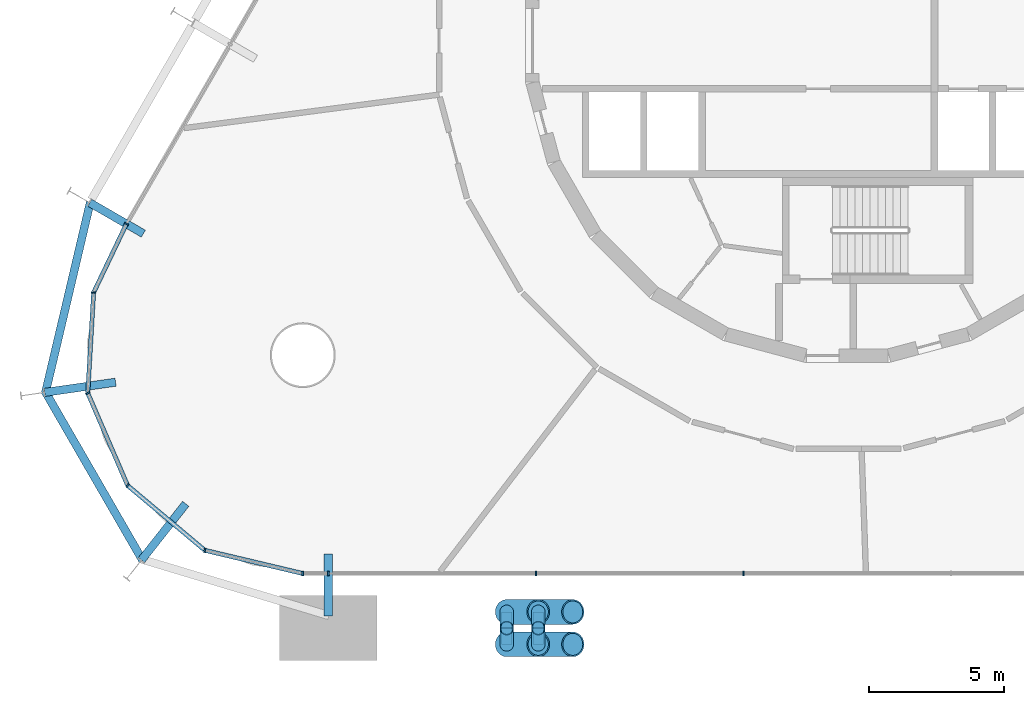
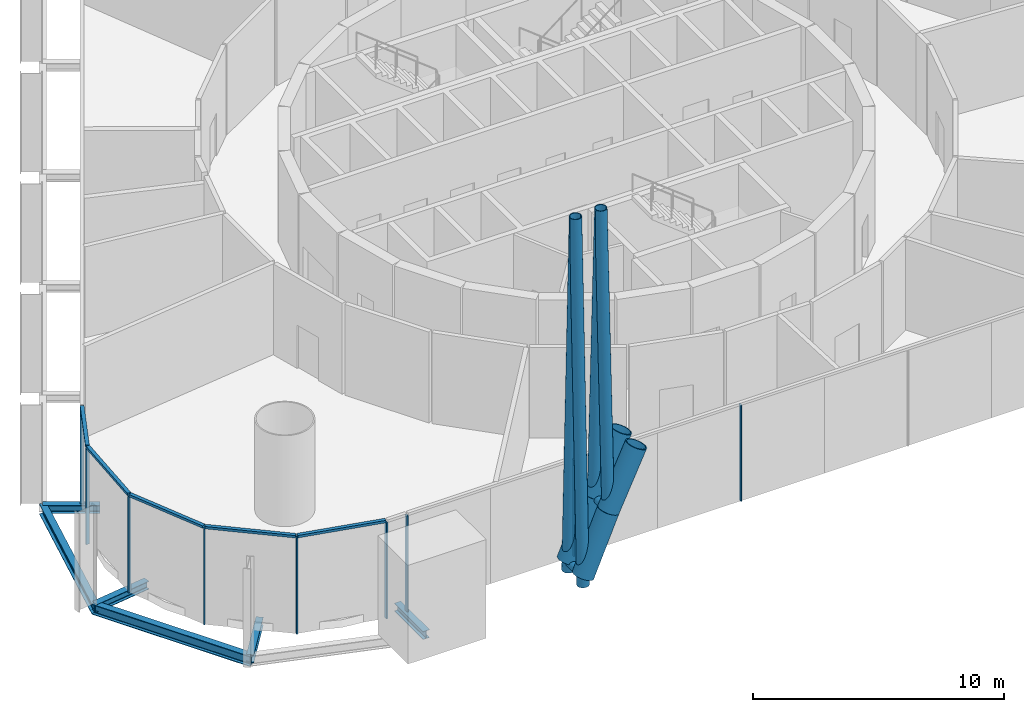
# One storey, part 3 of 17: 24 members, 6 beams, 2 elements without a shape of their own.
"""IFC4 building model written with IfcOpenShell, lengths in metres."""

import ifcopenshell
import ifcopenshell.guid

model = None  # the IFC model being written
_history = None  # IfcOwnerHistory: only IFC2X3 demands one
_inside = {}  # id of a spatial element -> (the spatial element, [elements in it])
_under = {}  # id of a project, library or spatial element -> (it, [spatial elements below it])
_declared = {}  # id of a project -> (the project, [libraries it declares])
_typed = {}  # id of a type object -> (the type object, [elements of that type])
_made_of = {}  # id of a material, layer set ... -> (it, [elements and type objects made of it])


def new_model(schema):
    """Start an empty IFC model of exactly this schema.

    Asked for "IFC4X3", IfcOpenShell would pick the latest addendum, in which some entities
    have other attributes; the version numbers below select the first issue.
    IFC2X3 requires an IfcOwnerHistory on every rooted entity: one is made here for all.
    """
    global model, _history
    if schema == "IFC4X3":
        model = ifcopenshell.file(schema_version=(4, 3, 0, 0))
    else:
        model = ifcopenshell.file(schema=schema)
    _inside.clear()
    _under.clear()
    _declared.clear()
    _typed.clear()
    _made_of.clear()
    _history = None
    if model.schema == "IFC2X3":
        org = make("IfcOrganization", Name="unknown")
        user = make(
            "IfcPersonAndOrganization",
            ThePerson=make("IfcPerson", FamilyName="unknown"),
            TheOrganization=org,
        )
        app = make(
            "IfcApplication",
            ApplicationDeveloper=org,
            Version="unknown",
            ApplicationFullName="unknown",
            ApplicationIdentifier="unknown",
        )
        _history = make(
            "IfcOwnerHistory",
            OwningUser=user,
            OwningApplication=app,
            ChangeAction="ADDED",
            CreationDate=0,
        )
    return model


def make(cls, **values):
    """One entity of the class cls with the attributes given. An attribute that is None is left unset."""
    return model.create_entity(
        cls, **{name: value for name, value in values.items() if value is not None}
    )


def rooted(cls, **values):
    """An entity with a GlobalId (a new one), such as an element, a storey or a relation."""
    return make(cls, GlobalId=ifcopenshell.guid.new(), OwnerHistory=_history, **values)


def si_unit(unit_type, name, prefix=None):
    """IfcSIUnit, for example si_unit("LENGTHUNIT", "METRE", prefix="MILLI")."""
    return make("IfcSIUnit", UnitType=unit_type, Prefix=prefix, Name=name)


def assignment(units):
    """IfcUnitAssignment: the units of a project."""
    return None if units is None else make("IfcUnitAssignment", Units=units)


def point(xyz):
    """IfcCartesianPoint."""
    return None if xyz is None else make("IfcCartesianPoint", Coordinates=xyz)


def direction(xyz):
    """IfcDirection."""
    return None if xyz is None else make("IfcDirection", DirectionRatios=xyz)


def frame(location, z_axis=None, x_axis=None):
    """IfcAxis2Placement3D, a coordinate frame: its origin and axes. An axis left out is left unset."""
    return make(
        "IfcAxis2Placement3D",
        Location=point(location),
        Axis=direction(z_axis),
        RefDirection=direction(x_axis),
    )


def frame_2d(location, x_axis=None):
    """IfcAxis2Placement2D, a coordinate frame in the plane: its origin and x axis."""
    return make(
        "IfcAxis2Placement2D", Location=point(location), RefDirection=direction(x_axis)
    )


def origin():
    """The frame at (0, 0, 0) with its axes left unset."""
    return frame((0.0, 0.0, 0.0))


def origin_2d():
    """The frame at (0, 0) in the plane with its x axis left unset."""
    return frame_2d((0.0, 0.0))


def place(relative_to, where):
    """IfcLocalPlacement: puts the frame where relative to a parent placement (None: the world)."""
    return make(
        "IfcLocalPlacement", PlacementRelTo=relative_to, RelativePlacement=where
    )


def context(
    kind, dimensions, precision=None, world=None, true_north=None, identifier=None
):
    """IfcGeometricRepresentationContext, for example the 3D "Model" context."""
    return make(
        "IfcGeometricRepresentationContext",
        ContextIdentifier=identifier,
        ContextType=kind,
        CoordinateSpaceDimension=dimensions,
        Precision=precision,
        WorldCoordinateSystem=world,
        TrueNorth=true_north,
    )


def subcontext(parent, identifier, kind, view, scale=None):
    """IfcGeometricRepresentationSubContext, for example "Body" below "Model"."""
    return make(
        "IfcGeometricRepresentationSubContext",
        ContextIdentifier=identifier,
        ContextType=kind,
        ParentContext=parent,
        TargetScale=scale,
        TargetView=view,
    )


def project(units=None, contexts=None):
    """IfcProject with its units and contexts."""
    return rooted(
        "IfcProject",
        Name="project",
        RepresentationContexts=contexts,
        UnitsInContext=assignment(units),
    )


def spatial(cls, under=None, at=None, **own):
    """A site, building, storey or space (cls), placed at a placement, below another one or the project."""
    s = rooted(cls, ObjectPlacement=at, **own)
    if under is not None:
        _under.setdefault(under.id(), (under, []))[1].append(s)
    return s


def profile(cls, at=None, kind="AREA", **sizes):
    """A parametric profile (cls). Its sizes go by their IFC names, for example OverallWidth=200.0."""
    return make(cls, ProfileType=kind, Position=at, **sizes)


def rectangle(**sizes):
    """IfcRectangleProfileDef."""
    return profile("IfcRectangleProfileDef", **sizes)


def hollow_circle(**sizes):
    """IfcCircleHollowProfileDef."""
    return profile("IfcCircleHollowProfileDef", **sizes)


def i_section(**sizes):
    """IfcIShapeProfileDef."""
    return profile("IfcIShapeProfileDef", **sizes)


def extrude(swept, where, along, depth):
    """IfcExtrudedAreaSolid: the profile swept, set in the frame where, extruded along a direction by depth."""
    return make(
        "IfcExtrudedAreaSolid",
        SweptArea=swept,
        Position=where,
        ExtrudedDirection=direction(along),
        Depth=depth,
    )


def shape(context_of_items, identifier, shape_type, items):
    """IfcShapeRepresentation: the items that make up one representation, for example the "Body"."""
    return make(
        "IfcShapeRepresentation",
        ContextOfItems=context_of_items,
        RepresentationIdentifier=identifier,
        RepresentationType=shape_type,
        Items=items,
    )


def material(Name=None, Category=None):
    """IfcMaterial."""
    return make("IfcMaterial", Name=Name, Category=Category)


def layer(
    of_material, thickness, ventilated=None, Name=None, Category=None, Priority=None
):
    """IfcMaterialLayer: one layer of a wall or slab, of a material (None: an air gap)."""
    return make(
        "IfcMaterialLayer",
        Material=of_material,
        LayerThickness=thickness,
        IsVentilated=ventilated,
        Name=Name,
        Category=Category,
        Priority=Priority,
    )


def layer_set(layers, Name=None):
    """IfcMaterialLayerSet."""
    return make("IfcMaterialLayerSet", MaterialLayers=layers, LayerSetName=Name)


def material_profile(
    of_material, cross_section, Name=None, Category=None, Priority=None
):
    """IfcMaterialProfile: a cross section and its material."""
    return make(
        "IfcMaterialProfile",
        Name=Name,
        Material=of_material,
        Profile=cross_section,
        Priority=Priority,
        Category=Category,
    )


def profile_set(profiles, Name=None, composite=None):
    """IfcMaterialProfileSet."""
    return make(
        "IfcMaterialProfileSet",
        Name=Name,
        MaterialProfiles=profiles,
        CompositeProfile=composite,
    )


def made_of(thing, what):
    """Note that an element or type object is made of a material, layer set ...; save() writes the relation."""
    if what is not None:
        _made_of.setdefault(what.id(), (what, []))[1].append(thing)
    return thing


def type_object(cls, material=None, **own):
    """A type object (cls), such as IfcWallType, which elements share."""
    return made_of(rooted(cls, **own), material)


def element(
    cls,
    number,
    at=None,
    inside=None,
    cuts=None,
    type_object=None,
    material=None,
    context=None,
    identifier="Body",
    shape_type=None,
    held_by="IfcProductDefinitionShape",
    body=None,
    shapes=None,
    **own,
):
    """One element of the class cls, such as IfcWall. Its Tag is "e" and its number.

    at: its placement. inside: the storey or other place that contains it. cuts: it is an
    opening in that element (IfcRelVoidsElement). A single representation is given by context,
    identifier, shape_type and body (its items); several are given by shapes. held_by: the class
    of the entity that holds the representations. save() writes the other relations.
    """
    e = rooted(cls, Tag="e%d" % number, ObjectPlacement=at, **own)
    if body is not None:
        shapes = [shape(context, identifier, shape_type, body)]
    if shapes is not None:
        e.Representation = make(held_by, Representations=shapes)
    if inside is not None:
        _inside.setdefault(inside.id(), (inside, []))[1].append(e)
    if cuts is not None:
        rooted(
            "IfcRelVoidsElement", RelatingBuildingElement=cuts, RelatedOpeningElement=e
        )
    if type_object is not None:
        _typed.setdefault(type_object.id(), (type_object, []))[1].append(e)
    return made_of(e, material)


def aggregate(whole, parts):
    """IfcRelAggregates: a whole, such as a stair, and the parts it consists of."""
    return rooted("IfcRelAggregates", RelatingObject=whole, RelatedObjects=parts)


def save(model, path):
    """Write the relations noted so far, then the file.

    IfcRelAggregates (storeys below a building ...), IfcRelContainedInSpatialStructure (elements
    in a storey), IfcRelDefinesByType, IfcRelAssociatesMaterial and IfcRelDeclares: one each for
    every whole, place, type object, material and project.
    """
    for whole, parts in _under.values():
        aggregate(whole, parts)
    for where, things in _inside.values():
        rooted(
            "IfcRelContainedInSpatialStructure",
            RelatedElements=things,
            RelatingStructure=where,
        )
    for kind, things in _typed.values():
        rooted("IfcRelDefinesByType", RelatedObjects=things, RelatingType=kind)
    for what, things in _made_of.values():
        rooted("IfcRelAssociatesMaterial", RelatedObjects=things, RelatingMaterial=what)
    for by, libraries in _declared.values():
        rooted("IfcRelDeclares", RelatingContext=by, RelatedDefinitions=libraries)
    model.write(path)


model = new_model("IFC4")

# Units and contexts
model_context = context("Model", 3, precision=1e-05, world=origin(), true_north=direction((0.0, 1.0)))
body_context = subcontext(model_context, "Body", "Model", "MODEL_VIEW")
ifc_project = project(units=[si_unit("LENGTHUNIT", "METRE"), si_unit("AREAUNIT", "SQUARE_METRE"), si_unit("VOLUMEUNIT", "CUBIC_METRE"), si_unit("PLANEANGLEUNIT", "RADIAN"), si_unit("MASSUNIT", "GRAM", prefix="KILO")], contexts=[model_context])

# Site, building, storey
site_placement = place(None, origin())
site = spatial("IfcSite", under=ifc_project, at=site_placement, CompositionType="ELEMENT")
building_placement = place(site_placement, origin())
building = spatial("IfcBuilding", under=site, at=building_placement, Name="Spindle Arch Residences", CompositionType="ELEMENT")
storey_placement = place(building_placement, frame((0.0, 0.0, 13.800048828125)))
storey = spatial("IfcBuildingStorey", under=building, at=storey_placement, Name="L02", CompositionType="ELEMENT", Elevation=13.800048828125)

# Members
ifc_material_1 = material(Name="Steel S355J2, intumescent coating R 240", Category="steel")
ifc_material_profile_1 = material_profile(ifc_material_1, hollow_circle(Radius=0.25390625, WallThickness=0.02490234375, at=origin_2d()), Name="CHS 508x25")
ifc_profile_set_1 = profile_set([ifc_material_profile_1], Name="Steel S355J2, intumescent coating R 240")
member_type_1 = type_object("IfcMemberType", Name="Arch hanger CHS 508x25", PredefinedType="BRACE", material=ifc_profile_set_1)
member_1_placement = place(storey_placement, frame((-12.59765625, -21.72998046875, 17.741943359375), z_axis=(0.0, -0.034164866701, -0.999416210537), x_axis=(1.0, 0.0, 0.0)))
element("IfcMember", 1, at=member_1_placement, inside=storey, type_object=member_type_1, Name="Arch hanger 1.5", PredefinedType="BRACE", context=body_context, shape_type="SweptSolid", body=[
    extrude(hollow_circle(Radius=0.25390625, WallThickness=0.02490234375, at=origin_2d()), origin(), (0.0, 0.0, 1.0), 17.5576171875),
])
member_2_placement = place(storey_placement, frame((-11.431884765625, -21.72998046875, 17.741943359375), z_axis=(0.0, -0.040575443037, -0.999176477617), x_axis=(1.0, 0.0, 0.0)))
element("IfcMember", 2, at=member_2_placement, inside=storey, type_object=member_type_1, Name="Arch hanger 1.6", PredefinedType="BRACE", context=body_context, shape_type="SweptSolid", body=[
    extrude(hollow_circle(Radius=0.25390625, WallThickness=0.02490234375, at=origin_2d()), origin(), (0.0, 0.0, 1.0), 14.78369140625),
])
member_3_placement = place(storey_placement, frame((-12.59765625, -21.72998046875, 17.741943359375), z_axis=(0.0, 0.034178755575, -0.999415735651), x_axis=(-1.0, 0.0, 0.0)))
element("IfcMember", 3, at=member_3_placement, inside=storey, type_object=member_type_1, Name="Arch hanger 2.5", PredefinedType="BRACE", context=body_context, shape_type="SweptSolid", body=[
    extrude(hollow_circle(Radius=0.25390625, WallThickness=0.02490234375, at=origin_2d()), origin(), (0.0, 0.0, 1.0), 17.5576171875),
])
member_4_placement = place(storey_placement, frame((-11.431884765625, -21.72998046875, 17.741943359375), z_axis=(0.0, 0.040591930054, -0.999175807961), x_axis=(-1.0, 0.0, 0.0)))
element("IfcMember", 4, at=member_4_placement, inside=storey, type_object=member_type_1, Name="Arch hanger 2.6", PredefinedType="BRACE", context=body_context, shape_type="SweptSolid", body=[
    extrude(hollow_circle(Radius=0.25390625, WallThickness=0.02490234375, at=origin_2d()), origin(), (0.0, 0.0, 1.0), 14.78369140625),
])
ifc_material_2 = material(Name="Steel S355J2, intumescent coating R 240", Category="steel")
ifc_material_profile_2 = material_profile(ifc_material_2, hollow_circle(Radius=0.45703125, WallThickness=0.050048828125, at=origin_2d()), Name="CHS 914x50")
ifc_profile_set_2 = profile_set([ifc_material_profile_2], Name="Steel S355J2, intumescent coating R 240")
member_type_2 = type_object("IfcMemberType", Name="Arch rib CHS 914x50", PredefinedType="MEMBER", material=ifc_profile_set_2)
member_5_placement = place(storey_placement, frame((-12.59765625, -22.329833984375, 0.65185546875), z_axis=(0.387204911916, 0.0, 0.921993685547), x_axis=(0.0, 1.0, 0.0)))
element("IfcMember", 5, at=member_5_placement, inside=storey, type_object=member_type_2, Name="Arch rib 1.6", PredefinedType="MEMBER", context=body_context, shape_type="SweptSolid", body=[
    extrude(hollow_circle(Radius=0.45703125, WallThickness=0.050048828125, at=origin_2d()), origin(), (0.0, 0.0, 1.0), 3.0107421875),
])
member_6_placement = place(storey_placement, frame((-11.431884765625, -22.329833984375, 3.427734375), z_axis=(0.423544923401, 0.0, 0.905875100586), x_axis=(0.0, 1.0, 0.0)))
element("IfcMember", 6, at=member_6_placement, inside=storey, type_object=member_type_2, Name="Arch rib 1.7", PredefinedType="MEMBER", context=body_context, shape_type="SweptSolid", body=[
    extrude(hollow_circle(Radius=0.45703125, WallThickness=0.050048828125, at=origin_2d()), origin(), (0.0, 0.0, 1.0), 3.019287109375),
])
member_7_placement = place(storey_placement, frame((-12.59765625, -21.1298828125, 0.65185546875), z_axis=(0.387204911916, 0.0, 0.921993685547), x_axis=(0.0, 1.0, 0.0)))
element("IfcMember", 7, at=member_7_placement, inside=storey, type_object=member_type_2, Name="Arch rib 2.6", PredefinedType="MEMBER", context=body_context, shape_type="SweptSolid", body=[
    extrude(hollow_circle(Radius=0.45703125, WallThickness=0.050048828125, at=origin_2d()), origin(), (0.0, 0.0, 1.0), 3.0107421875),
])
member_8_placement = place(storey_placement, frame((-11.431884765625, -21.1298828125, 3.427734375), z_axis=(0.423544923401, 0.0, 0.905875100586), x_axis=(0.0, 1.0, 0.0)))
element("IfcMember", 8, at=member_8_placement, inside=storey, type_object=member_type_2, Name="Arch rib 2.7", PredefinedType="MEMBER", context=body_context, shape_type="SweptSolid", body=[
    extrude(hollow_circle(Radius=0.45703125, WallThickness=0.050048828125, at=origin_2d()), origin(), (0.0, 0.0, 1.0), 3.019287109375),
])
ifc_material_3 = material(Name="Steel S355J2, intumescent coating R 240", Category="steel")
ifc_material_profile_3 = material_profile(ifc_material_3, hollow_circle(Radius=0.203125, WallThickness=0.02001953125, at=origin_2d()), Name="CHS 406.4x20")
ifc_profile_set_3 = profile_set([ifc_material_profile_3], Name="Steel S355J2, intumescent coating R 240")
member_type_3 = type_object("IfcMemberType", Name="Arch tie CHS 406.4x20", PredefinedType="MEMBER", material=ifc_profile_set_3)
for number, where, z_axis, x_axis, name in (
    (9, (-12.59765625, -22.329833984375, 0.65185546875), (0.0, 1.0, 0.0), (-1.0, 0.0, 0.0), "Arch tie 5"),
    (10, (-11.431884765625, -22.329833984375, 3.427734375), (0.0, 1.0, 0.0), (-1.0, 0.0, 0.0), "Arch tie 6"),
):
    element("IfcMember", number, at=place(storey_placement, frame(where, z_axis=z_axis, x_axis=x_axis)), inside=storey, type_object=member_type_3, Name=name, PredefinedType="MEMBER", context=body_context, shape_type="SweptSolid", body=[
        extrude(hollow_circle(Radius=0.203125, WallThickness=0.02001953125, at=origin_2d()), origin(), (0.0, 0.0, 1.0), 1.199951171875),
    ])

# Curtain wall, members
ifc_material_4 = material(Name="Aluminium bronze unitised frame with tinted glass", Category="aluminium")
ifc_layer_1 = layer(ifc_material_4, 0.159912109375)
ifc_layer_set_1 = layer_set([ifc_layer_1], Name="CW-D corner wall on the fillet arcs")
curtain_wall_type_1 = type_object("IfcCurtainWallType", Name="CW-D corner wall on the fillet arcs", PredefinedType="NOTDEFINED", material=ifc_layer_set_1)
curtain_wall_1_placement = place(storey_placement, origin())
curtain_wall_1 = element("IfcCurtainWall", 11, at=curtain_wall_1_placement, inside=storey, type_object=curtain_wall_type_1, Name="CW-D L02 run 5", PredefinedType="NOTDEFINED")
ifc_material_5 = material(Name="Aluminium bronze anodised mullion", Category="aluminium")
ifc_material_profile_4 = material_profile(ifc_material_5, rectangle(XDim=0.159912109375, YDim=0.06005859375, at=origin_2d()), Name="MU 60x160")
ifc_profile_set_4 = profile_set([ifc_material_profile_4], Name="Aluminium bronze anodised mullion")
member_type_4 = type_object("IfcMemberType", Name="Bronze mullion 60x160", PredefinedType="MULLION", material=ifc_profile_set_4)
member_9_placement = place(storey_placement, frame((-26.66943359375, -6.77294921875, -0.380126953125), z_axis=(0.0, 0.0, 1.0), x_axis=(0.902111889092, -0.431502189519, 0.0)))
member_9 = element("IfcMember", 12, at=member_9_placement, type_object=member_type_4, Name="CW-D mullion 00", PredefinedType="MULLION", context=body_context, shape_type="SweptSolid", body=[
    extrude(rectangle(XDim=0.159912109375, YDim=0.06005859375, at=origin_2d()), origin(), (0.0, 0.0, 1.0), 4.68017578125),
])
member_10_placement = place(storey_placement, frame((-27.884033203125, -9.3125, -0.380126953125), z_axis=(0.0, 0.0, 1.0), x_axis=(0.99830815821, -0.058144829968, 0.0)))
member_10 = element("IfcMember", 13, at=member_10_placement, type_object=member_type_4, Name="CW-D mullion 01", PredefinedType="MULLION", context=body_context, shape_type="SweptSolid", body=[
    extrude(rectangle(XDim=0.159912109375, YDim=0.06005859375, at=origin_2d()), origin(), (0.0, 0.0, 1.0), 4.68017578125),
])
member_11_placement = place(storey_placement, frame((-28.100830078125, -13.032958984375, -0.380126953125), z_axis=(0.0, 0.0, 1.0), x_axis=(0.918216106599, 0.396079766691, 0.0)))
member_11 = element("IfcMember", 14, at=member_11_placement, type_object=member_type_4, Name="CW-D mullion 02", PredefinedType="MULLION", context=body_context, shape_type="SweptSolid", body=[
    extrude(rectangle(XDim=0.159912109375, YDim=0.06005859375, at=origin_2d()), origin(), (0.0, 0.0, 1.0), 4.68017578125),
])
member_12_placement = place(storey_placement, frame((-26.624755859375, -16.454833984375, -0.380126953125), z_axis=(0.0, 0.0, 1.0), x_axis=(0.64278760716, 0.766044445239, 0.0)))
member_12 = element("IfcMember", 15, at=member_12_placement, type_object=member_type_4, Name="CW-D mullion 03", PredefinedType="MULLION", context=body_context, shape_type="SweptSolid", body=[
    extrude(rectangle(XDim=0.159912109375, YDim=0.06005859375, at=origin_2d()), origin(), (0.0, 0.0, 1.0), 4.68017578125),
])
member_13_placement = place(storey_placement, frame((-23.769775390625, -18.850341796875, -0.380126953125), z_axis=(0.0, 0.0, 1.0), x_axis=(0.230615868852, 0.973044871028, 0.0)))
member_13 = element("IfcMember", 16, at=member_13_placement, type_object=member_type_4, Name="CW-D mullion 04", PredefinedType="MULLION", context=body_context, shape_type="SweptSolid", body=[
    extrude(rectangle(XDim=0.159912109375, YDim=0.06005859375, at=origin_2d()), origin(), (0.0, 0.0, 1.0), 4.68017578125),
])
member_14_placement = place(storey_placement, frame((-20.1435546875, -19.7099609375, -0.380126953125), z_axis=(0.0, 0.0, 1.0), x_axis=(0.0, 1.0, 0.0)))
member_14 = element("IfcMember", 17, at=member_14_placement, type_object=member_type_4, Name="CW-D mullion 05", PredefinedType="MULLION", context=body_context, shape_type="SweptSolid", body=[
    extrude(rectangle(XDim=0.159912109375, YDim=0.06005859375, at=origin_2d()), origin(), (0.0, 0.0, 1.0), 4.68017578125),
])

ifc_material_6 = material(Name="Aluminium bronze unitised frame with tinted glass", Category="aluminium")
ifc_layer_2 = layer(ifc_material_6, 0.159912109375)
ifc_layer_set_2 = layer_set([ifc_layer_2], Name="CW-B amenity podium glazed wall")
curtain_wall_type_2 = type_object("IfcCurtainWallType", Name="CW-B amenity podium glazed wall", PredefinedType="NOTDEFINED", material=ifc_layer_set_2)
curtain_wall_2_placement = place(storey_placement, origin())
curtain_wall_2 = element("IfcCurtainWall", 18, at=curtain_wall_2_placement, inside=storey, type_object=curtain_wall_type_2, Name="CW-B L02 run 6", PredefinedType="NOTDEFINED")
member_15_placement = place(storey_placement, frame((-19.2001953125, -19.7099609375, -0.380126953125), z_axis=(0.0, 0.0, 1.0), x_axis=(0.0, 1.0, 0.0)))
member_15 = element("IfcMember", 19, at=member_15_placement, type_object=member_type_4, Name="CW-B mullion 21", PredefinedType="MULLION", context=body_context, shape_type="SweptSolid", body=[
    extrude(rectangle(XDim=0.159912109375, YDim=0.06005859375, at=origin_2d()), origin(), (0.0, 0.0, 1.0), 4.68017578125),
])
member_16_placement = place(storey_placement, frame((-11.52001953125, -19.7099609375, -0.380126953125), z_axis=(0.0, 0.0, 1.0), x_axis=(0.0, 1.0, 0.0)))
member_16 = element("IfcMember", 20, at=member_16_placement, type_object=member_type_4, Name="CW-B mullion 22", PredefinedType="MULLION", context=body_context, shape_type="SweptSolid", body=[
    extrude(rectangle(XDim=0.159912109375, YDim=0.06005859375, at=origin_2d()), origin(), (0.0, 0.0, 1.0), 4.68017578125),
])
member_17_placement = place(storey_placement, frame((-3.840087890625, -19.7099609375, -0.380126953125), z_axis=(0.0, 0.0, 1.0), x_axis=(0.0, 1.0, 0.0)))
member_17 = element("IfcMember", 21, at=member_17_placement, type_object=member_type_4, Name="CW-B mullion 23", PredefinedType="MULLION", context=body_context, shape_type="SweptSolid", body=[
    extrude(rectangle(XDim=0.159912109375, YDim=0.06005859375, at=origin_2d()), origin(), (0.0, 0.0, 1.0), 4.68017578125),
])
aggregate(curtain_wall_2, [member_15, member_16, member_17])

# Member
ifc_material_7 = material(Name="Aluminium bronze anodised transom", Category="aluminium")
ifc_material_profile_5 = material_profile(ifc_material_7, rectangle(XDim=0.159912109375, YDim=0.1201171875, at=origin_2d()), Name="TR 120x160")
ifc_profile_set_5 = profile_set([ifc_material_profile_5], Name="Aluminium bronze anodised transom")
member_type_5 = type_object("IfcMemberType", Name="Bronze transom 120x160", PredefinedType="USERDEFINED", material=ifc_profile_set_5)
member_18_placement = place(storey_placement, frame((-26.682373046875, -6.800048828125, 4.35986328125), z_axis=(-0.43147744699, -0.902123723631, 0.0), x_axis=(0.902123723631, -0.43147744699, 0.0)))
member_18 = element("IfcMember", 22, at=member_18_placement, type_object=member_type_5, Name="CW-D transom 00", ObjectType="TRANSOM", PredefinedType="USERDEFINED", context=body_context, shape_type="SweptSolid", body=[
    extrude(rectangle(XDim=0.159912109375, YDim=0.1201171875, at=origin_2d()), origin(), (0.0, 0.0, 1.0), 2.7548828125),
])

member_19_placement = place(storey_placement, frame((-27.885986328125, -9.342529296875, 4.35986328125), z_axis=(-0.058128716156, -0.998309096602, 0.0), x_axis=(0.998309096602, -0.058128716156, 0.0)))
member_19 = element("IfcMember", 23, at=member_19_placement, type_object=member_type_5, Name="CW-D transom 01", ObjectType="TRANSOM", PredefinedType="USERDEFINED", context=body_context, shape_type="SweptSolid", body=[
    extrude(rectangle(XDim=0.159912109375, YDim=0.1201171875, at=origin_2d()), origin(), (0.0, 0.0, 1.0), 3.66650390625),
])

member_20_placement = place(storey_placement, frame((-28.0888671875, -13.060546875, 4.35986328125), z_axis=(0.39603167212, -0.918236851078, 0.0), x_axis=(0.918236851078, 0.39603167212, 0.0)))
member_20 = element("IfcMember", 24, at=member_20_placement, type_object=member_type_5, Name="CW-D transom 02", ObjectType="TRANSOM", PredefinedType="USERDEFINED", context=body_context, shape_type="SweptSolid", body=[
    extrude(rectangle(XDim=0.159912109375, YDim=0.1201171875, at=origin_2d()), origin(), (0.0, 0.0, 1.0), 3.666748046875),
])

member_21_placement = place(storey_placement, frame((-26.601806640625, -16.47412109375, 4.35986328125), z_axis=(0.766006453075, -0.642832881741, 0.0), x_axis=(0.642832881741, 0.766006453075, 0.0)))
member_21 = element("IfcMember", 25, at=member_21_placement, type_object=member_type_5, Name="CW-D transom 03", ObjectType="TRANSOM", PredefinedType="USERDEFINED", context=body_context, shape_type="SweptSolid", body=[
    extrude(rectangle(XDim=0.159912109375, YDim=0.1201171875, at=origin_2d()), origin(), (0.0, 0.0, 1.0), 3.666748046875),
])

member_22_placement = place(storey_placement, frame((-23.74072265625, -18.857421875, 4.35986328125), z_axis=(0.973053560164, -0.230579203425, 0.0), x_axis=(0.230579203425, 0.973053560164, 0.0)))
member_22 = element("IfcMember", 26, at=member_22_placement, type_object=member_type_5, Name="CW-D transom 04", ObjectType="TRANSOM", PredefinedType="USERDEFINED", context=body_context, shape_type="SweptSolid", body=[
    extrude(rectangle(XDim=0.159912109375, YDim=0.1201171875, at=origin_2d()), origin(), (0.0, 0.0, 1.0), 3.666748046875),
])

aggregate(curtain_wall_1, [member_9, member_18, member_10, member_19, member_11, member_20, member_12, member_21, member_13, member_22, member_14])

# Beams
ifc_material_8 = material(Name="Steel S460ML, intumescent coating R 120", Category="steel")
ifc_material_profile_6 = material_profile(ifc_material_8, i_section(OverallWidth=0.300048828125, OverallDepth=0.5, WebThickness=0.014404296875, FlangeThickness=0.028076171875, FilletRadius=0.027099609375, at=origin_2d()), Name="HEB 500")
ifc_profile_set_6 = profile_set([ifc_material_profile_6], Name="Steel S460ML, intumescent coating R 120")
beam_type_1 = type_object("IfcBeamType", Name="Exoskeleton edge beam HEB 500", PredefinedType="BEAM", material=ifc_profile_set_6)
beam_1_placement = place(storey_placement, frame((-28.006591796875, -5.974609375, -0.630126953125), z_axis=(-0.229185730541, -0.973382710406, 0.0), x_axis=(0.973382710406, -0.229185730541, 0.0)))
element("IfcBeam", 27, at=beam_1_placement, inside=storey, type_object=beam_type_1, Name="Exoskeleton edge beam 19", PredefinedType="BEAM", context=body_context, shape_type="SweptSolid", body=[
    extrude(i_section(OverallWidth=0.300048828125, OverallDepth=0.5, WebThickness=0.014404296875, FlangeThickness=0.028076171875, FilletRadius=0.027099609375, at=origin_2d()), origin(), (0.0, 0.0, 1.0), 7.25),
])
beam_2_placement = place(storey_placement, frame((-29.685302734375, -12.9609375, -0.630126953125), z_axis=(0.500025200273, -0.866010853911, 0.0), x_axis=(0.866010853911, 0.500025200273, 0.0)))
element("IfcBeam", 28, at=beam_2_placement, inside=storey, type_object=beam_type_1, Name="Exoskeleton edge beam 20", PredefinedType="BEAM", context=body_context, shape_type="SweptSolid", body=[
    extrude(i_section(OverallWidth=0.300048828125, OverallDepth=0.5, WebThickness=0.014404296875, FlangeThickness=0.028076171875, FilletRadius=0.027099609375, at=origin_2d()), origin(), (0.0, 0.0, 1.0), 7.236572265625),
])
ifc_material_9 = material(Name="Steel S460ML, intumescent coating R 120", Category="steel")
ifc_material_profile_7 = material_profile(ifc_material_9, i_section(OverallWidth=0.300048828125, OverallDepth=0.389892578125, WebThickness=0.010986328125, FlangeThickness=0.01904296875, FilletRadius=0.027099609375, at=origin_2d()), Name="HEA 400")
ifc_profile_set_7 = profile_set([ifc_material_profile_7], Name="Steel S460ML, intumescent coating R 120")
beam_type_2 = type_object("IfcBeamType", Name="Floor outrigger HEA 400", PredefinedType="BEAM", material=ifc_profile_set_7)
beam_3_placement = place(storey_placement, frame((-28.029052734375, -5.98779296875, -0.574951171875), z_axis=(0.866001280077, -0.50004178116, 0.0), x_axis=(0.50004178116, 0.866001280077, 0.0)))
element("IfcBeam", 29, at=beam_3_placement, inside=storey, type_object=beam_type_2, Name="Floor outrigger 19", PredefinedType="BEAM", context=body_context, shape_type="SweptSolid", body=[
    extrude(i_section(OverallWidth=0.300048828125, OverallDepth=0.389892578125, WebThickness=0.010986328125, FlangeThickness=0.01904296875, FilletRadius=0.027099609375, at=origin_2d()), origin(), (0.0, 0.0, 1.0), 2.294189453125),
])
for number, where, z_axis, x_axis, name in (
    (30, (-29.694580078125, -13.009033203125, -0.574951171875), (0.989738348309, 0.142891573883, 0.0), (-0.142891573883, 0.989738348309, 0.0), "Floor outrigger 20"),
    (31, (-26.11328125, -19.211669921875, -0.574951171875), (0.618586231558, 0.785716917297, 0.0), (-0.785716917297, 0.618586231558, 0.0), "Floor outrigger 21"),
):
    element("IfcBeam", number, at=place(storey_placement, frame(where, z_axis=z_axis, x_axis=x_axis)), inside=storey, type_object=beam_type_2, Name=name, PredefinedType="BEAM", context=body_context, shape_type="SweptSolid", body=[
        extrude(i_section(OverallWidth=0.300048828125, OverallDepth=0.389892578125, WebThickness=0.010986328125, FlangeThickness=0.01904296875, FilletRadius=0.027099609375, at=origin_2d()), origin(), (0.0, 0.0, 1.0), 2.64990234375),
    ])
beam_4_placement = place(storey_placement, frame((-19.2001953125, -21.27978515625, -0.574951171875), z_axis=(0.0, 1.0, 0.0), x_axis=(-1.0, 0.0, 0.0)))
element("IfcBeam", 32, at=beam_4_placement, inside=storey, type_object=beam_type_2, Name="Floor outrigger 22", PredefinedType="BEAM", context=body_context, shape_type="SweptSolid", body=[
    extrude(i_section(OverallWidth=0.300048828125, OverallDepth=0.389892578125, WebThickness=0.010986328125, FlangeThickness=0.01904296875, FilletRadius=0.027099609375, at=origin_2d()), origin(), (0.0, 0.0, 1.0), 2.2939453125),
])

save(model, "model.ifc")
